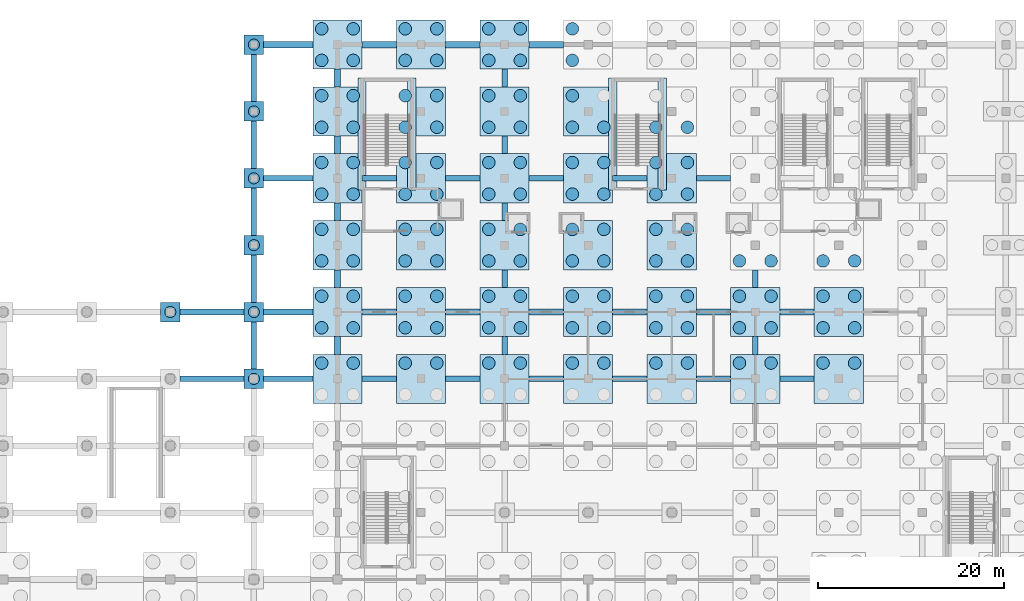
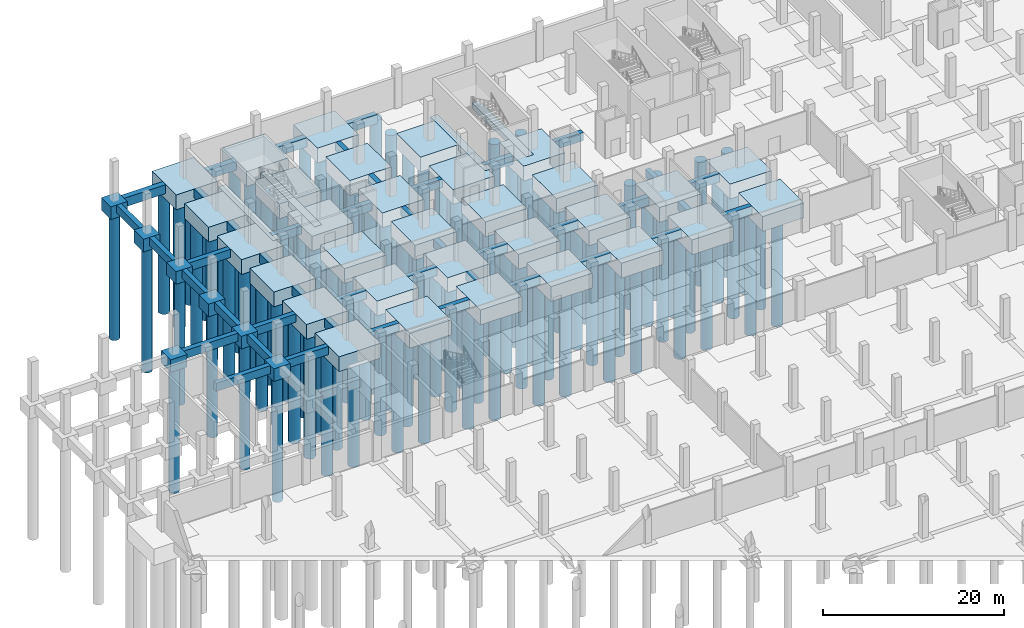
# One storey, part 9 of 39: 124 piles, 85 footings.
"""IFC4 building model written with IfcOpenShell, lengths in metres."""

from ifc_helpers import new_model, si_unit, direction, frame, origin, origin_2d, place, context, subcontext, project, spatial, rectangle, circle, extrude, material, material_profile, profile_set, type_object, element, save


model = new_model("IFC4")

# Units and contexts
model_context = context("Model", 3, precision=1e-05, world=origin(), true_north=direction((0.0, 1.0)))
body_context = subcontext(model_context, "Body", "Model", "MODEL_VIEW")
ifc_project = project(units=[si_unit("LENGTHUNIT", "METRE"), si_unit("AREAUNIT", "SQUARE_METRE"), si_unit("VOLUMEUNIT", "CUBIC_METRE"), si_unit("PLANEANGLEUNIT", "RADIAN"), si_unit("MASSUNIT", "GRAM", prefix="KILO")], contexts=[model_context])

# Site, building, storey
site_placement = place(None, origin())
site = spatial("IfcSite", under=ifc_project, at=site_placement, CompositionType="ELEMENT")
building_placement = place(site_placement, origin())
building = spatial("IfcBuilding", under=site, at=building_placement, Name="Celestram Park Convention Centre", CompositionType="ELEMENT")
storey_placement = place(building_placement, frame((0.0, 0.0, -5.39990234375)))
storey = spatial("IfcBuildingStorey", under=building, at=storey_placement, Name="B1", CompositionType="ELEMENT", Elevation=-5.39990234375)

# Footings
ifc_material_1 = material(Name="Concrete C40/50", Category="concrete")
footing_type_1 = type_object("IfcFootingType", Name="STR-CAP-PC2", PredefinedType="PILE_CAP", material=ifc_material_1)
for number, where, z_axis, x_axis, name in (
    (1, (18.0, 136.800048828125, -1.7001953125), (0.0, 0.0, 1.0), (1.0, 0.0, 0.0), "Caisson cap PC-02 at (18.0, 136.8)"),
    (2, (27.0, 129.60009765625, -1.7001953125), (0.0, 0.0, 1.0), (1.0, 0.0, 0.0), "Caisson cap PC-02 at (27.0, 129.6)"),
    (3, (27.0, 136.800048828125, -1.7001953125), (0.0, 0.0, 1.0), (1.0, 0.0, 0.0), "Caisson cap PC-02 at (27.0, 136.8)"),
    (4, (27.0, 144.0, -1.7001953125), (0.0, 0.0, 1.0), (1.0, 0.0, 0.0), "Caisson cap PC-02 at (27.0, 144.0)"),
    (5, (27.0, 151.199951171875, -1.7001953125), (0.0, 0.0, 1.0), (1.0, 0.0, 0.0), "Caisson cap PC-02 at (27.0, 151.2)"),
    (6, (27.0, 158.39990234375, -1.7001953125), (0.0, 0.0, 1.0), (1.0, 0.0, 0.0), "Caisson cap PC-02 at (27.0, 158.4)"),
    (7, (27.0, 165.60009765625, -1.7001953125), (0.0, 0.0, 1.0), (1.0, 0.0, 0.0), "Caisson cap PC-02 at (27.0, 165.6)"),
):
    element("IfcFooting", number, at=place(storey_placement, frame(where, z_axis=z_axis, x_axis=x_axis)), inside=storey, type_object=footing_type_1, Name=name, PredefinedType="PILE_CAP", context=body_context, shape_type="SweptSolid", body=[
        extrude(rectangle(XDim=2.10009765625, YDim=2.10009765625, at=origin_2d()), origin(), (0.0, 0.0, 1.0), 1.699951171875),
    ])
footing_type_2 = type_object("IfcFootingType", Name="STR-CAP-PC7", PredefinedType="PILE_CAP", material=ifc_material_1)
for number, where, z_axis, x_axis, name in (
    (8, (36.0, 129.60009765625, -2.0), (0.0, 0.0, 1.0), (1.0, 0.0, 0.0), "Caisson cap PC-07 at (36.0, 129.6)"),
    (9, (36.0, 136.800048828125, -2.0), (0.0, 0.0, 1.0), (1.0, 0.0, 0.0), "Caisson cap PC-07 at (36.0, 136.8)"),
    (10, (36.0, 144.0, -2.0), (0.0, 0.0, 1.0), (1.0, 0.0, 0.0), "Caisson cap PC-07 at (36.0, 144.0)"),
    (11, (36.0, 151.199951171875, -2.0), (0.0, 0.0, 1.0), (1.0, 0.0, 0.0), "Caisson cap PC-07 at (36.0, 151.2)"),
    (12, (36.0, 158.39990234375, -2.0), (0.0, 0.0, 1.0), (1.0, 0.0, 0.0), "Caisson cap PC-07 at (36.0, 158.4)"),
    (13, (36.0, 165.60009765625, -2.0), (0.0, 0.0, 1.0), (1.0, 0.0, 0.0), "Caisson cap PC-07 at (36.0, 165.6)"),
    (14, (45.0, 129.60009765625, -2.0), (0.0, 0.0, 1.0), (1.0, 0.0, 0.0), "Caisson cap PC-07 at (45.0, 129.6)"),
    (15, (45.0, 136.800048828125, -2.0), (0.0, 0.0, 1.0), (1.0, 0.0, 0.0), "Caisson cap PC-07 at (45.0, 136.8)"),
    (16, (45.0, 144.0, -2.0), (0.0, 0.0, 1.0), (1.0, 0.0, 0.0), "Caisson cap PC-07 at (45.0, 144.0)"),
    (17, (45.0, 151.199951171875, -2.0), (0.0, 0.0, 1.0), (1.0, 0.0, 0.0), "Caisson cap PC-07 at (45.0, 151.2)"),
    (18, (45.0, 158.39990234375, -2.0), (0.0, 0.0, 1.0), (1.0, 0.0, 0.0), "Caisson cap PC-07 at (45.0, 158.4)"),
    (19, (45.0, 165.60009765625, -2.0), (0.0, 0.0, 1.0), (1.0, 0.0, 0.0), "Caisson cap PC-07 at (45.0, 165.6)"),
    (20, (54.0, 129.60009765625, -2.0), (0.0, 0.0, 1.0), (1.0, 0.0, 0.0), "Caisson cap PC-07 at (54.0, 129.6)"),
    (21, (54.0, 136.800048828125, -2.0), (0.0, 0.0, 1.0), (1.0, 0.0, 0.0), "Caisson cap PC-07 at (54.0, 136.8)"),
    (22, (54.0, 144.0, -2.0), (0.0, 0.0, 1.0), (1.0, 0.0, 0.0), "Caisson cap PC-07 at (54.0, 144.0)"),
    (23, (54.0, 151.199951171875, -2.0), (0.0, 0.0, 1.0), (1.0, 0.0, 0.0), "Caisson cap PC-07 at (54.0, 151.2)"),
    (24, (54.0, 158.39990234375, -2.0), (0.0, 0.0, 1.0), (1.0, 0.0, 0.0), "Caisson cap PC-07 at (54.0, 158.4)"),
    (25, (54.0, 165.60009765625, -2.0), (0.0, 0.0, 1.0), (1.0, 0.0, 0.0), "Caisson cap PC-07 at (54.0, 165.6)"),
    (26, (63.0, 129.60009765625, -2.0), (0.0, 0.0, 1.0), (1.0, 0.0, 0.0), "Caisson cap PC-07 at (63.0, 129.6)"),
    (27, (63.0, 136.800048828125, -2.0), (0.0, 0.0, 1.0), (1.0, 0.0, 0.0), "Caisson cap PC-07 at (63.0, 136.8)"),
    (28, (63.0, 144.0, -2.0), (0.0, 0.0, 1.0), (1.0, 0.0, 0.0), "Caisson cap PC-07 at (63.0, 144.0)"),
    (29, (63.0, 151.199951171875, -2.0), (0.0, 0.0, 1.0), (1.0, 0.0, 0.0), "Caisson cap PC-07 at (63.0, 151.2)"),
    (30, (63.0, 158.39990234375, -2.0), (0.0, 0.0, 1.0), (1.0, 0.0, 0.0), "Caisson cap PC-07 at (63.0, 158.4)"),
    (31, (72.0, 129.60009765625, -2.0), (0.0, 0.0, 1.0), (1.0, 0.0, 0.0), "Caisson cap PC-07 at (72.0, 129.6)"),
    (32, (72.0, 136.800048828125, -2.0), (0.0, 0.0, 1.0), (1.0, 0.0, 0.0), "Caisson cap PC-07 at (72.0, 136.8)"),
    (33, (72.0, 144.0, -2.0), (0.0, 0.0, 1.0), (1.0, 0.0, 0.0), "Caisson cap PC-07 at (72.0, 144.0)"),
    (34, (72.0, 151.199951171875, -2.0), (0.0, 0.0, 1.0), (1.0, 0.0, 0.0), "Caisson cap PC-07 at (72.0, 151.2)"),
    (35, (81.0, 129.60009765625, -2.0), (0.0, 0.0, 1.0), (1.0, 0.0, 0.0), "Caisson cap PC-07 at (81.0, 129.6)"),
    (36, (81.0, 136.800048828125, -2.0), (0.0, 0.0, 1.0), (1.0, 0.0, 0.0), "Caisson cap PC-07 at (81.0, 136.8)"),
    (37, (90.0, 129.60009765625, -2.0), (0.0, 0.0, 1.0), (1.0, 0.0, 0.0), "Caisson cap PC-07 at (90.0, 129.6)"),
    (38, (90.0, 136.800048828125, -2.0), (0.0, 0.0, 1.0), (1.0, 0.0, 0.0), "Caisson cap PC-07 at (90.0, 136.8)"),
):
    element("IfcFooting", number, at=place(storey_placement, frame(where, z_axis=z_axis, x_axis=x_axis)), inside=storey, type_object=footing_type_2, Name=name, PredefinedType="PILE_CAP", context=body_context, shape_type="SweptSolid", body=[
        extrude(rectangle(XDim=5.300048828125, YDim=5.300048828125, at=origin_2d()), origin(), (0.0, 0.0, 1.0), 2.0),
    ])
ifc_material_2 = material(Name="Concrete C35/45", Category="concrete")
footing_type_3 = type_object("IfcFootingType", Name="STR-FTG-GB05", PredefinedType="FOOTING_BEAM", material=ifc_material_2)
for number, where, z_axis, x_axis, name in (
    (39, (22.5, 129.60009765625, -1.10009765625), (0.0, 0.0, 1.0), (1.0, 0.0, 0.0), "Grade tie beam GB-B1-045"),
    (40, (22.5, 136.800048828125, -1.10009765625), (0.0, 0.0, 1.0), (1.0, 0.0, 0.0), "Grade tie beam GB-B1-046"),
):
    element("IfcFooting", number, at=place(storey_placement, frame(where, z_axis=z_axis, x_axis=x_axis)), inside=storey, type_object=footing_type_3, Name=name, PredefinedType="FOOTING_BEAM", context=body_context, shape_type="SweptSolid", body=[
        extrude(rectangle(XDim=6.89990234375, YDim=0.60009765625, at=origin_2d()), origin(), (0.0, 0.0, 1.0), 1.10009765625),
    ])
footing_type_4 = type_object("IfcFootingType", Name="STR-FTG-GB09", PredefinedType="FOOTING_BEAM", material=ifc_material_2)
for number, where, z_axis, x_axis, name in (
    (41, (27.0, 133.199951171875, -1.10009765625), (0.0, 0.0, 1.0), (0.0, 1.0, 0.0), "Grade tie beam GB-B1-071"),
    (42, (27.0, 140.39990234375, -1.10009765625), (0.0, 0.0, 1.0), (0.0, 1.0, 0.0), "Grade tie beam GB-B1-073"),
    (43, (27.0, 147.60009765625, -1.10009765625), (0.0, 0.0, 1.0), (0.0, 1.0, 0.0), "Grade tie beam GB-B1-074"),
    (44, (27.0, 154.800048828125, -1.10009765625), (0.0, 0.0, 1.0), (0.0, 1.0, 0.0), "Grade tie beam GB-B1-076"),
    (45, (27.0, 162.0, -1.10009765625), (0.0, 0.0, 1.0), (0.0, 1.0, 0.0), "Grade tie beam GB-B1-077"),
):
    element("IfcFooting", number, at=place(storey_placement, frame(where, z_axis=z_axis, x_axis=x_axis)), inside=storey, type_object=footing_type_4, Name=name, PredefinedType="FOOTING_BEAM", context=body_context, shape_type="SweptSolid", body=[
        extrude(rectangle(XDim=5.10009765625, YDim=0.60009765625, at=origin_2d()), origin(), (0.0, 0.0, 1.0), 1.10009765625),
    ])
footing_type_5 = type_object("IfcFootingType", Name="STR-FTG-GB10", PredefinedType="FOOTING_BEAM", material=ifc_material_2)
for number, where, z_axis, x_axis, name in (
    (46, (30.699951171875, 129.60009765625, -1.10009765625), (0.0, 0.0, 1.0), (1.0, 0.0, 0.0), "Grade tie beam GB-B1-070"),
    (47, (30.699951171875, 136.800048828125, -1.10009765625), (0.0, 0.0, 1.0), (1.0, 0.0, 0.0), "Grade tie beam GB-B1-072"),
    (48, (30.699951171875, 151.199951171875, -1.10009765625), (0.0, 0.0, 1.0), (1.0, 0.0, 0.0), "Grade tie beam GB-B1-075"),
):
    element("IfcFooting", number, at=place(storey_placement, frame(where, z_axis=z_axis, x_axis=x_axis)), inside=storey, type_object=footing_type_5, Name=name, PredefinedType="FOOTING_BEAM", context=body_context, shape_type="SweptSolid", body=[
        extrude(rectangle(XDim=5.300048828125, YDim=0.60009765625, at=origin_2d()), origin(), (0.0, 0.0, 1.0), 1.10009765625),
    ])
footing_type_6 = type_object("IfcFootingType", Name="STR-FTG-GB11", PredefinedType="FOOTING_BEAM", material=ifc_material_2)
footing_placement = place(storey_placement, frame((30.699951171875, 165.60009765625, -1.2001953125), z_axis=(0.0, 0.0, 1.0), x_axis=(1.0, 0.0, 0.0)))
element("IfcFooting", 49, at=footing_placement, inside=storey, type_object=footing_type_6, Name="Grade tie beam GB-B1-078", PredefinedType="FOOTING_BEAM", context=body_context, shape_type="SweptSolid", body=[
    extrude(rectangle(XDim=5.300048828125, YDim=0.699951171875, at=origin_2d()), origin(), (0.0, 0.0, 1.0), 1.199951171875),
])
footing_type_7 = type_object("IfcFootingType", Name="STR-FTG-GB17", PredefinedType="FOOTING_BEAM", material=ifc_material_2)
for number, where, z_axis, x_axis, name in (
    (50, (40.5, 129.60009765625, -1.10009765625), (0.0, 0.0, 1.0), (1.0, 0.0, 0.0), "Grade tie beam GB-B1-106"),
    (51, (40.5, 136.800048828125, -1.10009765625), (0.0, 0.0, 1.0), (1.0, 0.0, 0.0), "Grade tie beam GB-B1-108"),
    (52, (40.5, 151.199951171875, -1.10009765625), (0.0, 0.0, 1.0), (1.0, 0.0, 0.0), "Grade tie beam GB-B1-111"),
    (53, (49.5, 129.60009765625, -1.10009765625), (0.0, 0.0, 1.0), (1.0, 0.0, 0.0), "Grade tie beam GB-B1-124"),
    (54, (49.5, 136.800048828125, -1.10009765625), (0.0, 0.0, 1.0), (1.0, 0.0, 0.0), "Grade tie beam GB-B1-125"),
    (55, (49.5, 151.199951171875, -1.10009765625), (0.0, 0.0, 1.0), (1.0, 0.0, 0.0), "Grade tie beam GB-B1-126"),
    (56, (58.5, 129.60009765625, -1.10009765625), (0.0, 0.0, 1.0), (1.0, 0.0, 0.0), "Grade tie beam GB-B1-155"),
    (57, (58.5, 136.800048828125, -1.10009765625), (0.0, 0.0, 1.0), (1.0, 0.0, 0.0), "Grade tie beam GB-B1-157"),
    (58, (58.5, 151.199951171875, -1.10009765625), (0.0, 0.0, 1.0), (1.0, 0.0, 0.0), "Grade tie beam GB-B1-160"),
    (59, (67.5, 129.60009765625, -1.10009765625), (0.0, 0.0, 1.0), (1.0, 0.0, 0.0), "Grade tie beam GB-B1-173"),
    (60, (67.5, 136.800048828125, -1.10009765625), (0.0, 0.0, 1.0), (1.0, 0.0, 0.0), "Grade tie beam GB-B1-174"),
    (61, (67.5, 151.199951171875, -1.10009765625), (0.0, 0.0, 1.0), (1.0, 0.0, 0.0), "Grade tie beam GB-B1-175"),
    (62, (76.5, 129.60009765625, -1.10009765625), (0.0, 0.0, 1.0), (1.0, 0.0, 0.0), "Grade tie beam GB-B1-186"),
    (63, (76.5, 136.800048828125, -1.10009765625), (0.0, 0.0, 1.0), (1.0, 0.0, 0.0), "Grade tie beam GB-B1-187"),
    (64, (76.5, 151.199951171875, -1.10009765625), (0.0, 0.0, 1.0), (1.0, 0.0, 0.0), "Grade tie beam GB-B1-188"),
    (65, (85.5, 129.60009765625, -1.10009765625), (0.0, 0.0, 1.0), (1.0, 0.0, 0.0), "Grade tie beam GB-B1-217"),
    (66, (85.5, 136.800048828125, -1.10009765625), (0.0, 0.0, 1.0), (1.0, 0.0, 0.0), "Grade tie beam GB-B1-219"),
):
    element("IfcFooting", number, at=place(storey_placement, frame(where, z_axis=z_axis, x_axis=x_axis)), inside=storey, type_object=footing_type_7, Name=name, PredefinedType="FOOTING_BEAM", context=body_context, shape_type="SweptSolid", body=[
        extrude(rectangle(XDim=3.699951171875, YDim=0.60009765625, at=origin_2d()), origin(), (0.0, 0.0, 1.0), 1.10009765625),
    ])
footing_type_8 = type_object("IfcFootingType", Name="STR-FTG-GB18", PredefinedType="FOOTING_BEAM", material=ifc_material_2)
for number, where, z_axis, x_axis, name in (
    (67, (36.0, 133.199951171875, -1.2001953125), (0.0, 0.0, 1.0), (0.0, 1.0, 0.0), "Grade tie beam GB-B1-107"),
    (68, (36.0, 140.39990234375, -1.2001953125), (0.0, 0.0, 1.0), (0.0, 1.0, 0.0), "Grade tie beam GB-B1-109"),
    (69, (36.0, 147.60009765625, -1.2001953125), (0.0, 0.0, 1.0), (0.0, 1.0, 0.0), "Grade tie beam GB-B1-110"),
    (70, (36.0, 154.800048828125, -1.2001953125), (0.0, 0.0, 1.0), (0.0, 1.0, 0.0), "Grade tie beam GB-B1-112"),
    (71, (36.0, 162.0, -1.2001953125), (0.0, 0.0, 1.0), (0.0, 1.0, 0.0), "Grade tie beam GB-B1-113"),
):
    element("IfcFooting", number, at=place(storey_placement, frame(where, z_axis=z_axis, x_axis=x_axis)), inside=storey, type_object=footing_type_8, Name=name, PredefinedType="FOOTING_BEAM", context=body_context, shape_type="SweptSolid", body=[
        extrude(rectangle(XDim=1.89990234375, YDim=0.699951171875, at=origin_2d()), origin(), (0.0, 0.0, 1.0), 1.199951171875),
    ])
footing_type_9 = type_object("IfcFootingType", Name="STR-FTG-GB19", PredefinedType="FOOTING_BEAM", material=ifc_material_2)
for number, where, z_axis, x_axis, name in (
    (72, (40.5, 165.60009765625, -1.2001953125), (0.0, 0.0, 1.0), (1.0, 0.0, 0.0), "Grade tie beam GB-B1-114"),
    (73, (49.5, 165.60009765625, -1.2001953125), (0.0, 0.0, 1.0), (1.0, 0.0, 0.0), "Grade tie beam GB-B1-127"),
    (74, (58.5, 165.60009765625, -1.2001953125), (0.0, 0.0, 1.0), (1.0, 0.0, 0.0), "Grade tie beam GB-B1-163"),
):
    element("IfcFooting", number, at=place(storey_placement, frame(where, z_axis=z_axis, x_axis=x_axis)), inside=storey, type_object=footing_type_9, Name=name, PredefinedType="FOOTING_BEAM", context=body_context, shape_type="SweptSolid", body=[
        extrude(rectangle(XDim=3.699951171875, YDim=0.699951171875, at=origin_2d()), origin(), (0.0, 0.0, 1.0), 1.199951171875),
    ])
footing_type_10 = type_object("IfcFootingType", Name="STR-FTG-GB24", PredefinedType="FOOTING_BEAM", material=ifc_material_2)
for number, where, z_axis, x_axis, name in (
    (75, (54.0, 133.199951171875, -1.10009765625), (0.0, 0.0, 1.0), (0.0, 1.0, 0.0), "Grade tie beam GB-B1-156"),
    (76, (54.0, 140.39990234375, -1.10009765625), (0.0, 0.0, 1.0), (0.0, 1.0, 0.0), "Grade tie beam GB-B1-158"),
    (77, (54.0, 147.60009765625, -1.10009765625), (0.0, 0.0, 1.0), (0.0, 1.0, 0.0), "Grade tie beam GB-B1-159"),
    (78, (54.0, 154.800048828125, -1.10009765625), (0.0, 0.0, 1.0), (0.0, 1.0, 0.0), "Grade tie beam GB-B1-161"),
    (79, (54.0, 162.0, -1.10009765625), (0.0, 0.0, 1.0), (0.0, 1.0, 0.0), "Grade tie beam GB-B1-162"),
    (80, (81.0, 133.199951171875, -1.10009765625), (0.0, 0.0, 1.0), (0.0, 1.0, 0.0), "Grade tie beam GB-B1-218"),
    (81, (81.0, 140.39990234375, -1.10009765625), (0.0, 0.0, 1.0), (0.0, 1.0, 0.0), "Grade tie beam GB-B1-220"),
):
    element("IfcFooting", number, at=place(storey_placement, frame(where, z_axis=z_axis, x_axis=x_axis)), inside=storey, type_object=footing_type_10, Name=name, PredefinedType="FOOTING_BEAM", context=body_context, shape_type="SweptSolid", body=[
        extrude(rectangle(XDim=1.89990234375, YDim=0.60009765625, at=origin_2d()), origin(), (0.0, 0.0, 1.0), 1.10009765625),
    ])
footing_type_11 = type_object("IfcFootingType", Name="STR-FTG-SF49", PredefinedType="STRIP_FOOTING", material=ifc_material_2)
for number, where, z_axis, x_axis, name in (
    (82, (38.64990234375, 155.965087890625, -0.75), (0.0, 0.0, 1.0), (0.0, 1.0, 0.0), "Core C1 strip footing"),
    (83, (43.989990234375, 155.965087890625, -0.75), (0.0, 0.0, 1.0), (0.0, 1.0, 0.0), "Core C1 strip footing"),
    (84, (65.64990234375, 155.965087890625, -0.75), (0.0, 0.0, 1.0), (0.0, 1.0, 0.0), "Core S14 strip footing"),
    (85, (70.989990234375, 155.965087890625, -0.75), (0.0, 0.0, 1.0), (0.0, 1.0, 0.0), "Core S14 strip footing"),
):
    element("IfcFooting", number, at=place(storey_placement, frame(where, z_axis=z_axis, x_axis=x_axis)), inside=storey, type_object=footing_type_11, Name=name, PredefinedType="STRIP_FOOTING", context=body_context, shape_type="SweptSolid", body=[
        extrude(rectangle(XDim=12.030029296875, YDim=0.89990234375, at=origin_2d()), origin(), (0.0, 0.0, 1.0), 0.75),
    ])

# Piles
ifc_material_profile_1 = material_profile(ifc_material_1, circle(Radius=0.60009765625, at=origin_2d()), Name="CAISSON1200")
ifc_profile_set_1 = profile_set([ifc_material_profile_1], Name="Concrete C40/50")
pile_type_1 = type_object("IfcPileType", Name="STR-PIL-C1200", PredefinedType="BORED", material=ifc_profile_set_1)
for number, where, z_axis, x_axis, name in (
    (86, (18.0, 136.800048828125, -1.60009765625), (0.0, 0.0, -1.0), (1.0, 0.0, 0.0), "Bored caisson PC-B1-063"),
    (87, (27.0, 129.60009765625, -1.60009765625), (0.0, 0.0, -1.0), (1.0, 0.0, 0.0), "Bored caisson PC-B1-079"),
    (88, (27.0, 136.800048828125, -1.60009765625), (0.0, 0.0, -1.0), (1.0, 0.0, 0.0), "Bored caisson PC-B1-080"),
    (89, (27.0, 144.0, -1.60009765625), (0.0, 0.0, -1.0), (1.0, 0.0, 0.0), "Bored caisson PC-B1-081"),
    (90, (27.0, 151.199951171875, -1.60009765625), (0.0, 0.0, -1.0), (1.0, 0.0, 0.0), "Bored caisson PC-B1-082"),
    (91, (27.0, 158.39990234375, -1.60009765625), (0.0, 0.0, -1.0), (1.0, 0.0, 0.0), "Bored caisson PC-B1-083"),
    (92, (27.0, 165.60009765625, -1.60009765625), (0.0, 0.0, -1.0), (1.0, 0.0, 0.0), "Bored caisson PC-B1-084"),
):
    element("IfcPile", number, at=place(storey_placement, frame(where, z_axis=z_axis, x_axis=x_axis)), inside=storey, type_object=pile_type_1, Name=name, PredefinedType="BORED", context=body_context, shape_type="SweptSolid", body=[
        extrude(circle(Radius=0.60009765625, at=origin_2d()), origin(), (0.0, 0.0, 1.0), 17.0),
    ])
ifc_material_profile_2 = material_profile(ifc_material_1, circle(Radius=0.675048828125, at=origin_2d()), Name="CAISSON1350")
ifc_profile_set_2 = profile_set([ifc_material_profile_2], Name="Concrete C40/50")
pile_type_2 = type_object("IfcPileType", Name="STR-PIL-C1350", PredefinedType="BORED", material=ifc_profile_set_2)
for number, where, z_axis, x_axis, name in (
    (93, (34.300048828125, 131.300048828125, -1.900146484375), (0.0, 0.0, -1.0), (1.0, 0.0, 0.0), "Bored caisson PC-B1-117"),
    (94, (37.699951171875, 131.300048828125, -1.900146484375), (0.0, 0.0, -1.0), (1.0, 0.0, 0.0), "Bored caisson PC-B1-118"),
    (95, (34.300048828125, 135.10009765625, -1.900146484375), (0.0, 0.0, -1.0), (1.0, 0.0, 0.0), "Bored caisson PC-B1-119"),
    (96, (37.699951171875, 135.10009765625, -1.900146484375), (0.0, 0.0, -1.0), (1.0, 0.0, 0.0), "Bored caisson PC-B1-120"),
    (97, (34.300048828125, 138.5, -1.900146484375), (0.0, 0.0, -1.0), (1.0, 0.0, 0.0), "Bored caisson PC-B1-121"),
    (98, (37.699951171875, 138.5, -1.900146484375), (0.0, 0.0, -1.0), (1.0, 0.0, 0.0), "Bored caisson PC-B1-122"),
    (99, (34.300048828125, 142.300048828125, -1.900146484375), (0.0, 0.0, -1.0), (1.0, 0.0, 0.0), "Bored caisson PC-B1-123"),
    (100, (37.699951171875, 142.300048828125, -1.900146484375), (0.0, 0.0, -1.0), (1.0, 0.0, 0.0), "Bored caisson PC-B1-124"),
    (101, (34.300048828125, 145.699951171875, -1.900146484375), (0.0, 0.0, -1.0), (1.0, 0.0, 0.0), "Bored caisson PC-B1-125"),
    (102, (37.699951171875, 145.699951171875, -1.900146484375), (0.0, 0.0, -1.0), (1.0, 0.0, 0.0), "Bored caisson PC-B1-126"),
    (103, (34.300048828125, 149.5, -1.900146484375), (0.0, 0.0, -1.0), (1.0, 0.0, 0.0), "Bored caisson PC-B1-127"),
    (104, (37.699951171875, 149.5, -1.900146484375), (0.0, 0.0, -1.0), (1.0, 0.0, 0.0), "Bored caisson PC-B1-128"),
    (105, (34.300048828125, 152.89990234375, -1.900146484375), (0.0, 0.0, -1.0), (1.0, 0.0, 0.0), "Bored caisson PC-B1-129"),
    (106, (37.699951171875, 152.89990234375, -1.900146484375), (0.0, 0.0, -1.0), (1.0, 0.0, 0.0), "Bored caisson PC-B1-130"),
    (107, (34.300048828125, 156.699951171875, -1.900146484375), (0.0, 0.0, -1.0), (1.0, 0.0, 0.0), "Bored caisson PC-B1-131"),
    (108, (37.699951171875, 156.699951171875, -1.900146484375), (0.0, 0.0, -1.0), (1.0, 0.0, 0.0), "Bored caisson PC-B1-132"),
    (109, (34.300048828125, 160.10009765625, -1.900146484375), (0.0, 0.0, -1.0), (1.0, 0.0, 0.0), "Bored caisson PC-B1-133"),
    (110, (37.699951171875, 160.10009765625, -1.900146484375), (0.0, 0.0, -1.0), (1.0, 0.0, 0.0), "Bored caisson PC-B1-134"),
    (111, (34.300048828125, 163.89990234375, -1.900146484375), (0.0, 0.0, -1.0), (1.0, 0.0, 0.0), "Bored caisson PC-B1-135"),
    (112, (37.699951171875, 163.89990234375, -1.900146484375), (0.0, 0.0, -1.0), (1.0, 0.0, 0.0), "Bored caisson PC-B1-136"),
    (113, (34.300048828125, 167.300048828125, -1.900146484375), (0.0, 0.0, -1.0), (1.0, 0.0, 0.0), "Bored caisson PC-B1-137"),
    (114, (37.699951171875, 167.300048828125, -1.900146484375), (0.0, 0.0, -1.0), (1.0, 0.0, 0.0), "Bored caisson PC-B1-138"),
    (115, (43.300048828125, 131.300048828125, -1.900146484375), (0.0, 0.0, -1.0), (1.0, 0.0, 0.0), "Bored caisson PC-B1-168"),
    (116, (46.699951171875, 131.300048828125, -1.900146484375), (0.0, 0.0, -1.0), (1.0, 0.0, 0.0), "Bored caisson PC-B1-169"),
    (117, (43.300048828125, 135.10009765625, -1.900146484375), (0.0, 0.0, -1.0), (1.0, 0.0, 0.0), "Bored caisson PC-B1-170"),
    (118, (46.699951171875, 135.10009765625, -1.900146484375), (0.0, 0.0, -1.0), (1.0, 0.0, 0.0), "Bored caisson PC-B1-171"),
    (119, (43.300048828125, 138.5, -1.900146484375), (0.0, 0.0, -1.0), (1.0, 0.0, 0.0), "Bored caisson PC-B1-172"),
    (120, (46.699951171875, 138.5, -1.900146484375), (0.0, 0.0, -1.0), (1.0, 0.0, 0.0), "Bored caisson PC-B1-173"),
    (121, (43.300048828125, 142.300048828125, -1.900146484375), (0.0, 0.0, -1.0), (1.0, 0.0, 0.0), "Bored caisson PC-B1-174"),
    (122, (46.699951171875, 142.300048828125, -1.900146484375), (0.0, 0.0, -1.0), (1.0, 0.0, 0.0), "Bored caisson PC-B1-175"),
    (123, (43.300048828125, 145.699951171875, -1.900146484375), (0.0, 0.0, -1.0), (1.0, 0.0, 0.0), "Bored caisson PC-B1-176"),
    (124, (46.699951171875, 145.699951171875, -1.900146484375), (0.0, 0.0, -1.0), (1.0, 0.0, 0.0), "Bored caisson PC-B1-177"),
    (125, (43.300048828125, 149.5, -1.900146484375), (0.0, 0.0, -1.0), (1.0, 0.0, 0.0), "Bored caisson PC-B1-178"),
    (126, (46.699951171875, 149.5, -1.900146484375), (0.0, 0.0, -1.0), (1.0, 0.0, 0.0), "Bored caisson PC-B1-179"),
    (127, (43.300048828125, 152.89990234375, -1.900146484375), (0.0, 0.0, -1.0), (1.0, 0.0, 0.0), "Bored caisson PC-B1-180"),
    (128, (46.699951171875, 152.89990234375, -1.900146484375), (0.0, 0.0, -1.0), (1.0, 0.0, 0.0), "Bored caisson PC-B1-181"),
    (129, (43.300048828125, 156.699951171875, -1.900146484375), (0.0, 0.0, -1.0), (1.0, 0.0, 0.0), "Bored caisson PC-B1-182"),
    (130, (46.699951171875, 156.699951171875, -1.900146484375), (0.0, 0.0, -1.0), (1.0, 0.0, 0.0), "Bored caisson PC-B1-183"),
    (131, (43.300048828125, 160.10009765625, -1.900146484375), (0.0, 0.0, -1.0), (1.0, 0.0, 0.0), "Bored caisson PC-B1-184"),
    (132, (46.699951171875, 160.10009765625, -1.900146484375), (0.0, 0.0, -1.0), (1.0, 0.0, 0.0), "Bored caisson PC-B1-185"),
    (133, (43.300048828125, 163.89990234375, -1.900146484375), (0.0, 0.0, -1.0), (1.0, 0.0, 0.0), "Bored caisson PC-B1-186"),
    (134, (46.699951171875, 163.89990234375, -1.900146484375), (0.0, 0.0, -1.0), (1.0, 0.0, 0.0), "Bored caisson PC-B1-187"),
    (135, (43.300048828125, 167.300048828125, -1.900146484375), (0.0, 0.0, -1.0), (1.0, 0.0, 0.0), "Bored caisson PC-B1-188"),
    (136, (46.699951171875, 167.300048828125, -1.900146484375), (0.0, 0.0, -1.0), (1.0, 0.0, 0.0), "Bored caisson PC-B1-189"),
    (137, (52.300048828125, 131.300048828125, -1.900146484375), (0.0, 0.0, -1.0), (1.0, 0.0, 0.0), "Bored caisson PC-B1-219"),
    (138, (55.699951171875, 131.300048828125, -1.900146484375), (0.0, 0.0, -1.0), (1.0, 0.0, 0.0), "Bored caisson PC-B1-220"),
    (139, (52.300048828125, 135.10009765625, -1.900146484375), (0.0, 0.0, -1.0), (1.0, 0.0, 0.0), "Bored caisson PC-B1-221"),
    (140, (55.699951171875, 135.10009765625, -1.900146484375), (0.0, 0.0, -1.0), (1.0, 0.0, 0.0), "Bored caisson PC-B1-222"),
    (141, (52.300048828125, 138.5, -1.900146484375), (0.0, 0.0, -1.0), (1.0, 0.0, 0.0), "Bored caisson PC-B1-223"),
    (142, (55.699951171875, 138.5, -1.900146484375), (0.0, 0.0, -1.0), (1.0, 0.0, 0.0), "Bored caisson PC-B1-224"),
    (143, (52.300048828125, 142.300048828125, -1.900146484375), (0.0, 0.0, -1.0), (1.0, 0.0, 0.0), "Bored caisson PC-B1-225"),
    (144, (55.699951171875, 142.300048828125, -1.900146484375), (0.0, 0.0, -1.0), (1.0, 0.0, 0.0), "Bored caisson PC-B1-226"),
    (145, (52.300048828125, 145.699951171875, -1.900146484375), (0.0, 0.0, -1.0), (1.0, 0.0, 0.0), "Bored caisson PC-B1-227"),
    (146, (55.699951171875, 145.699951171875, -1.900146484375), (0.0, 0.0, -1.0), (1.0, 0.0, 0.0), "Bored caisson PC-B1-228"),
    (147, (52.300048828125, 149.5, -1.900146484375), (0.0, 0.0, -1.0), (1.0, 0.0, 0.0), "Bored caisson PC-B1-229"),
    (148, (55.699951171875, 149.5, -1.900146484375), (0.0, 0.0, -1.0), (1.0, 0.0, 0.0), "Bored caisson PC-B1-230"),
    (149, (52.300048828125, 152.89990234375, -1.900146484375), (0.0, 0.0, -1.0), (1.0, 0.0, 0.0), "Bored caisson PC-B1-231"),
    (150, (55.699951171875, 152.89990234375, -1.900146484375), (0.0, 0.0, -1.0), (1.0, 0.0, 0.0), "Bored caisson PC-B1-232"),
    (151, (52.300048828125, 156.699951171875, -1.900146484375), (0.0, 0.0, -1.0), (1.0, 0.0, 0.0), "Bored caisson PC-B1-233"),
    (152, (55.699951171875, 156.699951171875, -1.900146484375), (0.0, 0.0, -1.0), (1.0, 0.0, 0.0), "Bored caisson PC-B1-234"),
    (153, (52.300048828125, 160.10009765625, -1.900146484375), (0.0, 0.0, -1.0), (1.0, 0.0, 0.0), "Bored caisson PC-B1-235"),
    (154, (55.699951171875, 160.10009765625, -1.900146484375), (0.0, 0.0, -1.0), (1.0, 0.0, 0.0), "Bored caisson PC-B1-236"),
    (155, (52.300048828125, 163.89990234375, -1.900146484375), (0.0, 0.0, -1.0), (1.0, 0.0, 0.0), "Bored caisson PC-B1-237"),
    (156, (55.699951171875, 163.89990234375, -1.900146484375), (0.0, 0.0, -1.0), (1.0, 0.0, 0.0), "Bored caisson PC-B1-238"),
    (157, (52.300048828125, 167.300048828125, -1.900146484375), (0.0, 0.0, -1.0), (1.0, 0.0, 0.0), "Bored caisson PC-B1-239"),
    (158, (55.699951171875, 167.300048828125, -1.900146484375), (0.0, 0.0, -1.0), (1.0, 0.0, 0.0), "Bored caisson PC-B1-240"),
    (159, (61.300048828125, 131.300048828125, -1.900146484375), (0.0, 0.0, -1.0), (1.0, 0.0, 0.0), "Bored caisson PC-B1-270"),
    (160, (64.699951171875, 131.300048828125, -1.900146484375), (0.0, 0.0, -1.0), (1.0, 0.0, 0.0), "Bored caisson PC-B1-271"),
    (161, (61.300048828125, 135.10009765625, -1.900146484375), (0.0, 0.0, -1.0), (1.0, 0.0, 0.0), "Bored caisson PC-B1-272"),
    (162, (64.699951171875, 135.10009765625, -1.900146484375), (0.0, 0.0, -1.0), (1.0, 0.0, 0.0), "Bored caisson PC-B1-273"),
    (163, (61.300048828125, 138.5, -1.900146484375), (0.0, 0.0, -1.0), (1.0, 0.0, 0.0), "Bored caisson PC-B1-274"),
    (164, (64.699951171875, 138.5, -1.900146484375), (0.0, 0.0, -1.0), (1.0, 0.0, 0.0), "Bored caisson PC-B1-275"),
    (165, (61.300048828125, 142.300048828125, -1.900146484375), (0.0, 0.0, -1.0), (1.0, 0.0, 0.0), "Bored caisson PC-B1-276"),
    (166, (64.699951171875, 142.300048828125, -1.900146484375), (0.0, 0.0, -1.0), (1.0, 0.0, 0.0), "Bored caisson PC-B1-277"),
    (167, (61.300048828125, 145.699951171875, -1.900146484375), (0.0, 0.0, -1.0), (1.0, 0.0, 0.0), "Bored caisson PC-B1-278"),
    (168, (64.699951171875, 145.699951171875, -1.900146484375), (0.0, 0.0, -1.0), (1.0, 0.0, 0.0), "Bored caisson PC-B1-279"),
    (169, (61.300048828125, 149.5, -1.900146484375), (0.0, 0.0, -1.0), (1.0, 0.0, 0.0), "Bored caisson PC-B1-280"),
    (170, (64.699951171875, 149.5, -1.900146484375), (0.0, 0.0, -1.0), (1.0, 0.0, 0.0), "Bored caisson PC-B1-281"),
    (171, (61.300048828125, 152.89990234375, -1.900146484375), (0.0, 0.0, -1.0), (1.0, 0.0, 0.0), "Bored caisson PC-B1-282"),
    (172, (64.699951171875, 152.89990234375, -1.900146484375), (0.0, 0.0, -1.0), (1.0, 0.0, 0.0), "Bored caisson PC-B1-283"),
    (173, (61.300048828125, 156.699951171875, -1.900146484375), (0.0, 0.0, -1.0), (1.0, 0.0, 0.0), "Bored caisson PC-B1-284"),
    (174, (64.699951171875, 156.699951171875, -1.900146484375), (0.0, 0.0, -1.0), (1.0, 0.0, 0.0), "Bored caisson PC-B1-285"),
    (175, (61.300048828125, 160.10009765625, -1.900146484375), (0.0, 0.0, -1.0), (1.0, 0.0, 0.0), "Bored caisson PC-B1-286"),
    (176, (61.300048828125, 163.89990234375, -1.900146484375), (0.0, 0.0, -1.0), (1.0, 0.0, 0.0), "Bored caisson PC-B1-288"),
    (177, (61.300048828125, 167.300048828125, -1.900146484375), (0.0, 0.0, -1.0), (1.0, 0.0, 0.0), "Bored caisson PC-B1-290"),
    (178, (70.300048828125, 131.300048828125, -1.900146484375), (0.0, 0.0, -1.0), (1.0, 0.0, 0.0), "Bored caisson PC-B1-321"),
    (179, (73.699951171875, 131.300048828125, -1.900146484375), (0.0, 0.0, -1.0), (1.0, 0.0, 0.0), "Bored caisson PC-B1-322"),
    (180, (70.300048828125, 135.10009765625, -1.900146484375), (0.0, 0.0, -1.0), (1.0, 0.0, 0.0), "Bored caisson PC-B1-323"),
    (181, (73.699951171875, 135.10009765625, -1.900146484375), (0.0, 0.0, -1.0), (1.0, 0.0, 0.0), "Bored caisson PC-B1-324"),
    (182, (70.300048828125, 138.5, -1.900146484375), (0.0, 0.0, -1.0), (1.0, 0.0, 0.0), "Bored caisson PC-B1-325"),
    (183, (73.699951171875, 138.5, -1.900146484375), (0.0, 0.0, -1.0), (1.0, 0.0, 0.0), "Bored caisson PC-B1-326"),
    (184, (70.300048828125, 142.300048828125, -1.900146484375), (0.0, 0.0, -1.0), (1.0, 0.0, 0.0), "Bored caisson PC-B1-327"),
    (185, (73.699951171875, 142.300048828125, -1.900146484375), (0.0, 0.0, -1.0), (1.0, 0.0, 0.0), "Bored caisson PC-B1-328"),
    (186, (70.300048828125, 145.699951171875, -1.900146484375), (0.0, 0.0, -1.0), (1.0, 0.0, 0.0), "Bored caisson PC-B1-329"),
    (187, (73.699951171875, 145.699951171875, -1.900146484375), (0.0, 0.0, -1.0), (1.0, 0.0, 0.0), "Bored caisson PC-B1-330"),
    (188, (70.300048828125, 149.5, -1.900146484375), (0.0, 0.0, -1.0), (1.0, 0.0, 0.0), "Bored caisson PC-B1-331"),
    (189, (73.699951171875, 149.5, -1.900146484375), (0.0, 0.0, -1.0), (1.0, 0.0, 0.0), "Bored caisson PC-B1-332"),
    (190, (70.300048828125, 152.89990234375, -1.900146484375), (0.0, 0.0, -1.0), (1.0, 0.0, 0.0), "Bored caisson PC-B1-333"),
    (191, (73.699951171875, 152.89990234375, -1.900146484375), (0.0, 0.0, -1.0), (1.0, 0.0, 0.0), "Bored caisson PC-B1-334"),
    (192, (70.300048828125, 156.699951171875, -1.900146484375), (0.0, 0.0, -1.0), (1.0, 0.0, 0.0), "Bored caisson PC-B1-335"),
    (193, (73.699951171875, 156.699951171875, -1.900146484375), (0.0, 0.0, -1.0), (1.0, 0.0, 0.0), "Bored caisson PC-B1-336"),
    (194, (79.300048828125, 131.300048828125, -1.900146484375), (0.0, 0.0, -1.0), (1.0, 0.0, 0.0), "Bored caisson PC-B1-372"),
    (195, (82.699951171875, 131.300048828125, -1.900146484375), (0.0, 0.0, -1.0), (1.0, 0.0, 0.0), "Bored caisson PC-B1-373"),
    (196, (79.300048828125, 135.10009765625, -1.900146484375), (0.0, 0.0, -1.0), (1.0, 0.0, 0.0), "Bored caisson PC-B1-374"),
    (197, (82.699951171875, 135.10009765625, -1.900146484375), (0.0, 0.0, -1.0), (1.0, 0.0, 0.0), "Bored caisson PC-B1-375"),
    (198, (79.300048828125, 138.5, -1.900146484375), (0.0, 0.0, -1.0), (1.0, 0.0, 0.0), "Bored caisson PC-B1-376"),
    (199, (82.699951171875, 138.5, -1.900146484375), (0.0, 0.0, -1.0), (1.0, 0.0, 0.0), "Bored caisson PC-B1-377"),
    (200, (79.300048828125, 142.300048828125, -1.900146484375), (0.0, 0.0, -1.0), (1.0, 0.0, 0.0), "Bored caisson PC-B1-378"),
    (201, (82.699951171875, 142.300048828125, -1.900146484375), (0.0, 0.0, -1.0), (1.0, 0.0, 0.0), "Bored caisson PC-B1-379"),
    (202, (88.300048828125, 131.300048828125, -1.900146484375), (0.0, 0.0, -1.0), (1.0, 0.0, 0.0), "Bored caisson PC-B1-426"),
    (203, (91.699951171875, 131.300048828125, -1.900146484375), (0.0, 0.0, -1.0), (1.0, 0.0, 0.0), "Bored caisson PC-B1-427"),
    (204, (88.300048828125, 135.10009765625, -1.900146484375), (0.0, 0.0, -1.0), (1.0, 0.0, 0.0), "Bored caisson PC-B1-428"),
    (205, (91.699951171875, 135.10009765625, -1.900146484375), (0.0, 0.0, -1.0), (1.0, 0.0, 0.0), "Bored caisson PC-B1-429"),
    (206, (88.300048828125, 138.5, -1.900146484375), (0.0, 0.0, -1.0), (1.0, 0.0, 0.0), "Bored caisson PC-B1-430"),
    (207, (91.699951171875, 138.5, -1.900146484375), (0.0, 0.0, -1.0), (1.0, 0.0, 0.0), "Bored caisson PC-B1-431"),
    (208, (88.300048828125, 142.300048828125, -1.900146484375), (0.0, 0.0, -1.0), (1.0, 0.0, 0.0), "Bored caisson PC-B1-432"),
    (209, (91.699951171875, 142.300048828125, -1.900146484375), (0.0, 0.0, -1.0), (1.0, 0.0, 0.0), "Bored caisson PC-B1-433"),
):
    element("IfcPile", number, at=place(storey_placement, frame(where, z_axis=z_axis, x_axis=x_axis)), inside=storey, type_object=pile_type_2, Name=name, PredefinedType="BORED", context=body_context, shape_type="SweptSolid", body=[
        extrude(circle(Radius=0.675048828125, at=origin_2d()), origin(), (0.0, 0.0, 1.0), 16.699951171875),
    ])

save(model, "model.ifc")
